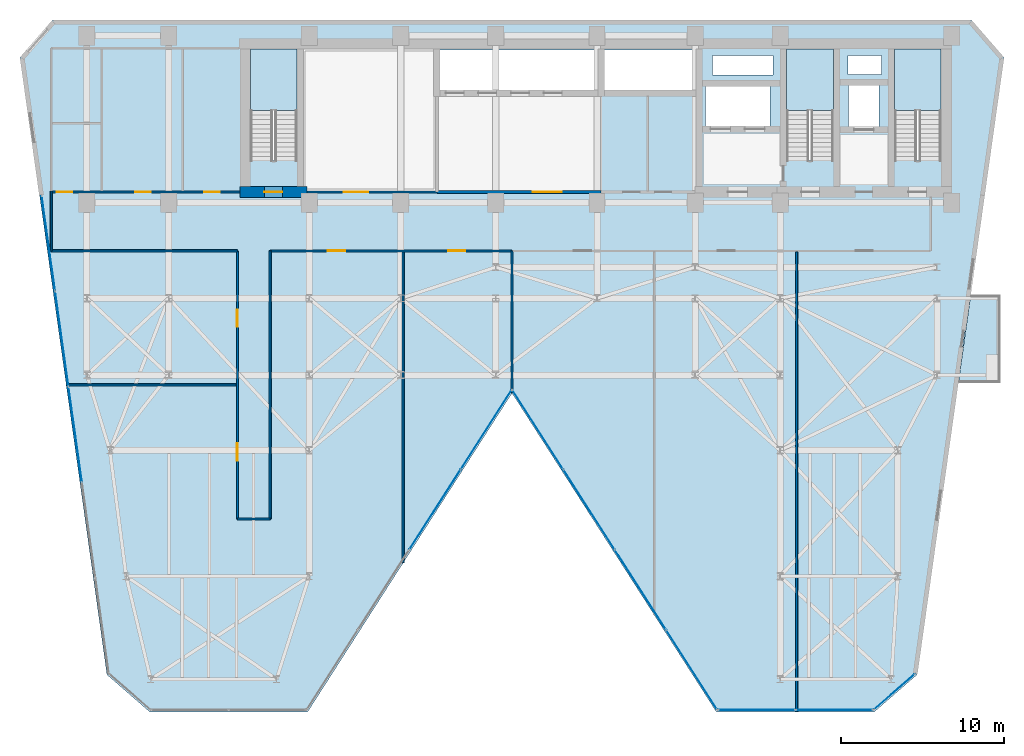
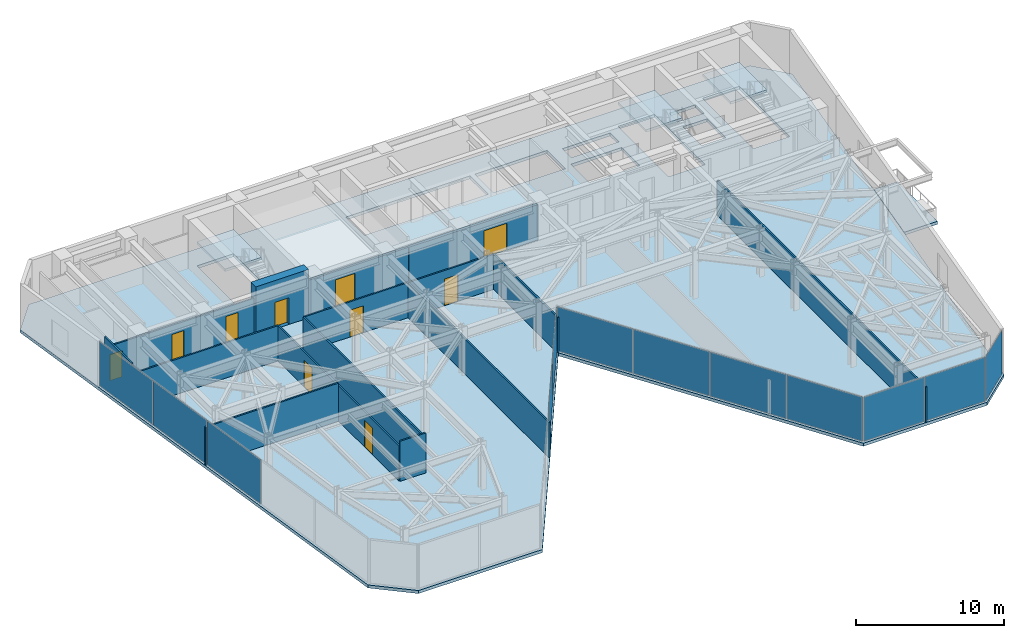
# One storey, part 21 of 26: 14 walls, 12 plates, 10 doors, 5 slabs, 10 openings, 8 elements without a shape of their own.
"""IFC4 building model written with IfcOpenShell, lengths in metres."""

from ifc_helpers import new_model, si_unit, direction, frame, frame_2d, origin, origin_2d, place, context, subcontext, project, spatial, polyline, rectangle, outline, extrude, material, layer, layer_set, type_object, element, fill, aggregate, save


model = new_model("IFC4")

# Units and contexts
model_context = context("Model", 3, precision=1e-05, world=origin(), true_north=direction((0.0, 1.0)))
body_context = subcontext(model_context, "Body", "Model", "MODEL_VIEW")
ifc_project = project(units=[si_unit("LENGTHUNIT", "METRE"), si_unit("AREAUNIT", "SQUARE_METRE"), si_unit("VOLUMEUNIT", "CUBIC_METRE"), si_unit("PLANEANGLEUNIT", "RADIAN"), si_unit("MASSUNIT", "GRAM", prefix="KILO")], contexts=[model_context])

# Site, building, storey
site_placement = place(None, origin())
site = spatial("IfcSite", under=ifc_project, at=site_placement, CompositionType="ELEMENT")
building_placement = place(site_placement, origin())
building = spatial("IfcBuilding", under=site, at=building_placement, Name="Kravanh Interchange Tower", CompositionType="ELEMENT")
storey_placement = place(building_placement, frame((0.0, 0.0, 112.0)))
storey = spatial("IfcBuildingStorey", under=building, at=storey_placement, Name="L26", CompositionType="ELEMENT", Elevation=112.0)

# Slab
ifc_material_1 = material(Name="Concrete C50/60", Category="concrete")
ifc_layer_1 = layer(ifc_material_1, 0.25)
ifc_layer_set_1 = layer_set([ifc_layer_1], Name="Composite Floor Slab Concrete C50/60 250mm")
slab_type_1 = type_object("IfcSlabType", Name="Composite Floor Slab Concrete C50/60 250mm", PredefinedType="FLOOR", material=ifc_layer_set_1)
slab_1_placement = place(storey_placement, frame((0.0, 0.0, -0.25)))
element("IfcSlab", 1, at=slab_1_placement, inside=storey, type_object=slab_type_1, Name="L26 Structural Floor Slab", PredefinedType="FLOOR", context=body_context, shape_type="SweptSolid", body=[
    extrude(outline(polyline([(14.82470703125, 8.4775390625), (17.44482421875, 6.199951171875), (27.10009765625, 6.199951171875), (39.60009765625, 25.699951171875), (52.10009765625, 6.199951171875), (61.755126953125, 6.199951171875), (64.375244140625, 8.4775390625), (69.679931640625, 46.222412109375), (67.699951171875, 48.5), (11.5, 48.5), (9.52001953125, 46.222412109375), (14.82470703125, 8.4775390625)]), holes=[polyline([(65.85009765625, 39.925048828125), (65.85009765625, 46.75), (63.0, 46.75), (63.0, 39.925048828125), (65.85009765625, 39.925048828125)]), polyline([(59.25, 39.925048828125), (59.25, 46.75), (56.39990234375, 46.75), (56.39990234375, 39.925048828125), (59.25, 39.925048828125)]), polyline([(26.449951171875, 39.925048828125), (26.449951171875, 46.75), (23.60009765625, 46.75), (23.60009765625, 39.925048828125), (26.449951171875, 39.925048828125)]), polyline([(35.179931640625, 44.219970703125), (44.840087890625, 44.219970703125), (44.840087890625, 46.699951171875), (35.179931640625, 46.699951171875), (35.179931640625, 44.219970703125)]), polyline([(45.239990234375, 44.219970703125), (50.840087890625, 44.219970703125), (50.840087890625, 46.699951171875), (45.239990234375, 46.699951171875), (45.239990234375, 44.219970703125)]), polyline([(51.419921875, 42.02001953125), (55.3798828125, 42.02001953125), (55.3798828125, 44.47998046875), (51.419921875, 44.47998046875), (51.419921875, 42.02001953125)]), polyline([(60.179931640625, 41.97998046875), (62.06005859375, 41.97998046875), (62.06005859375, 44.52001953125), (60.179931640625, 44.52001953125), (60.179931640625, 41.97998046875)]), polyline([(60.14990234375, 45.199951171875), (62.199951171875, 45.199951171875), (62.199951171875, 46.35009765625), (60.14990234375, 46.35009765625), (60.14990234375, 45.199951171875)]), polyline([(51.85009765625, 45.14990234375), (55.550048828125, 45.14990234375), (55.550048828125, 46.35009765625), (51.85009765625, 46.35009765625), (51.85009765625, 45.14990234375)])]), origin(), (0.0, 0.0, 1.0), 0.25),
])

# Stair, slab
ifc_material_2 = material(Name="Concrete C50/60", Category="concrete")
stair_type = type_object("IfcStairType", Name="Core Fire Exit Dogleg Stair Concrete C50/60", PredefinedType="HALF_TURN_STAIR", material=ifc_material_2)
stair_1_placement = place(storey_placement, origin())
stair_1 = element("IfcStair", 2, at=stair_1_placement, inside=storey, type_object=stair_type, Name="L26 Exit Stair ST1", PredefinedType="HALF_TURN_STAIR")
ifc_material_3 = material(Name="Concrete C50/60", Category="concrete")
ifc_layer_2 = layer(ifc_material_3, 0.199951171875)
ifc_layer_set_2 = layer_set([ifc_layer_2], Name="Concrete C50/60 Stair Half-Landing Slab 200mm")
slab_type_2 = type_object("IfcSlabType", Name="Concrete C50/60 Stair Half-Landing Slab 200mm", PredefinedType="LANDING", material=ifc_layer_set_2)
slab_2_placement = place(storey_placement, frame((0.0, 0.0, 1.800048828125)))
slab_2 = element("IfcSlab", 3, at=slab_2_placement, type_object=slab_type_2, Name="ST1 landing 1", PredefinedType="LANDING", context=body_context, shape_type="SweptSolid", body=[
    extrude(outline(polyline([(65.85009765625, 42.97998046875), (65.85009765625, 46.75), (63.0, 46.75), (63.0, 42.97998046875), (65.85009765625, 42.97998046875)])), origin(), (0.0, 0.0, 1.0), 0.199951171875),
])
aggregate(stair_1, [slab_2])

stair_2_placement = place(storey_placement, origin())
stair_2 = element("IfcStair", 4, at=stair_2_placement, inside=storey, type_object=stair_type, Name="L26 Exit Stair ST2", PredefinedType="HALF_TURN_STAIR")
slab_3_placement = place(storey_placement, frame((0.0, 0.0, 1.800048828125)))
slab_3 = element("IfcSlab", 5, at=slab_3_placement, type_object=slab_type_2, Name="ST2 landing 1", PredefinedType="LANDING", context=body_context, shape_type="SweptSolid", body=[
    extrude(outline(polyline([(59.25, 42.97998046875), (59.25, 46.75), (56.39990234375, 46.75), (56.39990234375, 42.97998046875), (59.25, 42.97998046875)])), origin(), (0.0, 0.0, 1.0), 0.199951171875),
])
aggregate(stair_2, [slab_3])

stair_3_placement = place(storey_placement, origin())
stair_3 = element("IfcStair", 6, at=stair_3_placement, inside=storey, type_object=stair_type, Name="L26 Exit Stair ST3", PredefinedType="HALF_TURN_STAIR")
slab_4_placement = place(storey_placement, frame((0.0, 0.0, 1.800048828125)))
slab_4 = element("IfcSlab", 7, at=slab_4_placement, type_object=slab_type_2, Name="ST3 landing 1", PredefinedType="LANDING", context=body_context, shape_type="SweptSolid", body=[
    extrude(outline(polyline([(26.449951171875, 42.97998046875), (26.449951171875, 46.75), (23.60009765625, 46.75), (23.60009765625, 42.97998046875), (26.449951171875, 42.97998046875)])), origin(), (0.0, 0.0, 1.0), 0.199951171875),
])
aggregate(stair_3, [slab_4])

# Slab
ifc_material_4 = material(Name="Concrete C50/60", Category="concrete")
ifc_layer_3 = layer(ifc_material_4, 0.199951171875)
ifc_layer_set_3 = layer_set([ifc_layer_3], Name="Planted Tree Balcony Slab Concrete C50/60 200mm")
slab_type_3 = type_object("IfcSlabType", Name="Planted Tree Balcony Slab Concrete C50/60 200mm", PredefinedType="USERDEFINED", material=ifc_layer_set_3)
slab_5_placement = place(storey_placement, frame((0.0, 0.0, -0.25)))
element("IfcSlab", 8, at=slab_5_placement, inside=storey, type_object=slab_type_3, Name="L26 East Tree Planter Balcony Slab", ObjectType="BALCONY", PredefinedType="USERDEFINED", context=body_context, shape_type="SweptSolid", body=[
    extrude(outline(polyline([(69.489990234375, 31.7099609375), (69.489990234375, 26.31005859375), (66.896484375, 26.31005859375), (67.655517578125, 31.7099609375), (69.489990234375, 31.7099609375)])), origin(), (0.0, 0.0, 1.0), 0.25),
])

# Curtain wall, plates
ifc_material_5 = material(Name="Anodised Bronze Aluminium", Category="aluminium")
ifc_layer_4 = layer(ifc_material_5, 0.179931640625)
ifc_layer_set_4 = layer_set([ifc_layer_4], Name="Unitised Curtain Wall System CW-Z2 Mid Office")
curtain_wall_type = type_object("IfcCurtainWallType", Name="Unitised Curtain Wall System CW-Z2 Mid Office", PredefinedType="NOTDEFINED", material=ifc_layer_set_4)
curtain_wall_1_placement = place(storey_placement, origin())
curtain_wall_1 = element("IfcCurtainWall", 9, at=curtain_wall_1_placement, inside=storey, type_object=curtain_wall_type, Name="L26 Unitised Curtain Wall CW-L26-01", PredefinedType="NOTDEFINED")
ifc_material_6 = material(Name="Low-E Laminated Architectural Glass", Category="glass")
ifc_layer_5 = layer(ifc_material_6, 0.02587890625)
ifc_layer_set_5 = layer_set([ifc_layer_5], Name="Solar-Control Double Glazing 26mm")
plate_type = type_object("IfcPlateType", Name="Solar-Control Double Glazing 26mm", PredefinedType="CURTAIN_PANEL", material=ifc_layer_set_5)
plate_1_placement = place(storey_placement, frame((12.881103515625, 23.16943359375, 0.06005859375), z_axis=(0.0, 0.0, 1.0), x_axis=(-0.13917285118, 0.990268103846, 0.0)))
plate_1 = element("IfcPlate", 10, at=plate_1_placement, type_object=plate_type, Name="CW-Z2 panel 3.1", PredefinedType="CURTAIN_PANEL", context=body_context, shape_type="SweptSolid", body=[
    extrude(rectangle(XDim=5.849853515625, YDim=0.02587890625, at=origin_2d()), origin(), (0.0, 0.0, 1.0), 3.6298828125),
])
plate_2_placement = place(storey_placement, frame((12.058837890625, 29.021728515625, 0.06005859375), z_axis=(0.0, 0.0, 1.0), x_axis=(-0.13917285118, 0.990268103846, 0.0)))
plate_2 = element("IfcPlate", 11, at=plate_2_placement, type_object=plate_type, Name="CW-Z2 panel 4.1", PredefinedType="CURTAIN_PANEL", context=body_context, shape_type="SweptSolid", body=[
    extrude(rectangle(XDim=5.849853515625, YDim=0.02587890625, at=origin_2d()), origin(), (0.0, 0.0, 1.0), 3.6298828125),
])
plate_3_placement = place(storey_placement, frame((11.23828125, 34.859130859375, 0.06005859375), z_axis=(0.0, 0.0, 1.0), x_axis=(-0.13917285118, 0.990268103846, 0.0)))
plate_3 = element("IfcPlate", 12, at=plate_3_placement, type_object=plate_type, Name="CW-Z2 panel 5.1", PredefinedType="CURTAIN_PANEL", context=body_context, shape_type="SweptSolid", body=[
    extrude(rectangle(XDim=5.81982421875, YDim=0.02587890625, at=origin_2d()), origin(), (0.0, 0.0, 1.0), 3.6298828125),
])
aggregate(curtain_wall_1, [plate_1, plate_2, plate_3])

# Curtain wall, plate
curtain_wall_2_placement = place(storey_placement, origin())
curtain_wall_2 = element("IfcCurtainWall", 13, at=curtain_wall_2_placement, inside=storey, type_object=curtain_wall_type, Name="L26 Unitised Curtain Wall CW-L26-02", PredefinedType="NOTDEFINED")
plate_4_placement = place(storey_placement, frame((62.986328125, 7.429443359375, 0.06005859375), z_axis=(0.0, 0.0, 1.0), x_axis=(-0.754719458103, -0.656047665617, 0.0)))
plate_4 = element("IfcPlate", 14, at=plate_4_placement, type_object=plate_type, Name="CW-Z2 panel 1.1", PredefinedType="CURTAIN_PANEL", context=body_context, shape_type="SweptSolid", body=[
    extrude(rectangle(XDim=3.261962890625, YDim=0.02587890625, at=origin_2d()), origin(), (0.0, 0.0, 1.0), 3.6298828125),
])
aggregate(curtain_wall_2, [plate_4])

# Curtain wall, plates
curtain_wall_3_placement = place(storey_placement, origin())
curtain_wall_3 = element("IfcCurtainWall", 15, at=curtain_wall_3_placement, inside=storey, type_object=curtain_wall_type, Name="L26 Unitised Curtain Wall CW-L26-03", PredefinedType="NOTDEFINED")
plate_5_placement = place(storey_placement, frame((59.30908203125, 6.320068359375, 0.06005859375), z_axis=(0.0, 0.0, 1.0), x_axis=(-1.0, 0.0, 0.0)))
plate_5 = element("IfcPlate", 16, at=plate_5_placement, type_object=plate_type, Name="CW-Z2 panel 1.1", PredefinedType="CURTAIN_PANEL", context=body_context, shape_type="SweptSolid", body=[
    extrude(rectangle(XDim=4.682373046875, YDim=0.02587890625, at=origin_2d()), origin(), (0.0, 0.0, 1.0), 3.6298828125),
])
plate_6_placement = place(storey_placement, frame((54.566650390625, 6.320068359375, 0.06005859375), z_axis=(0.0, 0.0, 1.0), x_axis=(-1.0, 0.0, 0.0)))
plate_6 = element("IfcPlate", 17, at=plate_6_placement, type_object=plate_type, Name="CW-Z2 panel 2.1", PredefinedType="CURTAIN_PANEL", context=body_context, shape_type="SweptSolid", body=[
    extrude(rectangle(XDim=4.682373046875, YDim=0.02587890625, at=origin_2d()), origin(), (0.0, 0.0, 1.0), 3.6298828125),
])
aggregate(curtain_wall_3, [plate_5, plate_6])

curtain_wall_4_placement = place(storey_placement, origin())
curtain_wall_4 = element("IfcCurtainWall", 18, at=curtain_wall_4_placement, inside=storey, type_object=curtain_wall_type, Name="L26 Unitised Curtain Wall CW-L26-04", PredefinedType="NOTDEFINED")
plate_7_placement = place(storey_placement, frame((50.5869140625, 8.782958984375, 0.06005859375), z_axis=(0.0, 0.0, 1.0), x_axis=(-0.539664865919, 0.841879939476, 0.0)))
plate_7 = element("IfcPlate", 19, at=plate_7_placement, type_object=plate_type, Name="CW-Z2 panel 1.1", PredefinedType="CURTAIN_PANEL", context=body_context, shape_type="SweptSolid", body=[
    extrude(rectangle(XDim=5.73095703125, YDim=0.02587890625, at=origin_2d()), origin(), (0.0, 0.0, 1.0), 3.6298828125),
])
plate_8_placement = place(storey_placement, frame((47.45361328125, 13.6708984375, 0.06005859375), z_axis=(0.0, 0.0, 1.0), x_axis=(-0.539664865919, 0.841879939476, 0.0)))
plate_8 = element("IfcPlate", 20, at=plate_8_placement, type_object=plate_type, Name="CW-Z2 panel 2.1", PredefinedType="CURTAIN_PANEL", context=body_context, shape_type="SweptSolid", body=[
    extrude(rectangle(XDim=5.760986328125, YDim=0.02587890625, at=origin_2d()), origin(), (0.0, 0.0, 1.0), 3.6298828125),
])
plate_9_placement = place(storey_placement, frame((44.31201171875, 18.571533203125, 0.06005859375), z_axis=(0.0, 0.0, 1.0), x_axis=(-0.539664865919, 0.841879939476, 0.0)))
plate_9 = element("IfcPlate", 21, at=plate_9_placement, type_object=plate_type, Name="CW-Z2 panel 3.1", PredefinedType="CURTAIN_PANEL", context=body_context, shape_type="SweptSolid", body=[
    extrude(rectangle(XDim=5.760986328125, YDim=0.02587890625, at=origin_2d()), origin(), (0.0, 0.0, 1.0), 3.6298828125),
])
plate_10_placement = place(storey_placement, frame((41.1787109375, 23.45947265625, 0.06005859375), z_axis=(0.0, 0.0, 1.0), x_axis=(-0.539664865919, 0.841879939476, 0.0)))
plate_10 = element("IfcPlate", 22, at=plate_10_placement, type_object=plate_type, Name="CW-Z2 panel 4.1", PredefinedType="CURTAIN_PANEL", context=body_context, shape_type="SweptSolid", body=[
    extrude(rectangle(XDim=5.73095703125, YDim=0.02587890625, at=origin_2d()), origin(), (0.0, 0.0, 1.0), 3.6298828125),
])
aggregate(curtain_wall_4, [plate_7, plate_8, plate_9, plate_10])

curtain_wall_5_placement = place(storey_placement, origin())
curtain_wall_5 = element("IfcCurtainWall", 23, at=curtain_wall_5_placement, inside=storey, type_object=curtain_wall_type, Name="L26 Unitised Curtain Wall CW-L26-05", PredefinedType="NOTDEFINED")
plate_11_placement = place(storey_placement, frame((38.021240234375, 23.45947265625, 0.06005859375), z_axis=(0.0, 0.0, 1.0), x_axis=(-0.539664865919, -0.841879939476, 0.0)))
plate_11 = element("IfcPlate", 24, at=plate_11_placement, type_object=plate_type, Name="CW-Z2 panel 1.1", PredefinedType="CURTAIN_PANEL", context=body_context, shape_type="SweptSolid", body=[
    extrude(rectangle(XDim=5.73095703125, YDim=0.02587890625, at=origin_2d()), origin(), (0.0, 0.0, 1.0), 3.6298828125),
])
plate_12_placement = place(storey_placement, frame((34.887939453125, 18.571533203125, 0.06005859375), z_axis=(0.0, 0.0, 1.0), x_axis=(-0.539664865919, -0.841879939476, 0.0)))
plate_12 = element("IfcPlate", 25, at=plate_12_placement, type_object=plate_type, Name="CW-Z2 panel 2.1", PredefinedType="CURTAIN_PANEL", context=body_context, shape_type="SweptSolid", body=[
    extrude(rectangle(XDim=5.760986328125, YDim=0.02587890625, at=origin_2d()), origin(), (0.0, 0.0, 1.0), 3.6298828125),
])
aggregate(curtain_wall_5, [plate_11, plate_12])

# Wall, openings, doors
ifc_material_7 = material(Name="Double Acoustic Gypsum Board and Mineral Wool")
ifc_layer_6 = layer(ifc_material_7, 0.1201171875)
ifc_layer_set_6 = layer_set([ifc_layer_6], Name="Acoustic Office Drywall Partition 120mm")
wall_type_1 = type_object("IfcWallType", Name="Acoustic Office Drywall Partition 120mm", PredefinedType="PARTITIONING", material=ifc_layer_set_6)
wall_1_placement = place(storey_placement, frame((11.419921875, 38.0, 0.0), z_axis=(0.0, 0.0, 1.0), x_axis=(1.0, 0.0, 0.0)))
wall_1 = element("IfcWall", 26, at=wall_1_placement, inside=storey, type_object=wall_type_1, Name="L26 Restroom Corridor Wall 6", PredefinedType="PARTITIONING", context=body_context, shape_type="SweptSolid", body=[
    extrude(rectangle(XDim=11.530029296875, YDim=0.1201171875, at=frame_2d((5.76513671875, 0.0))), origin(), (0.0, 0.0, 1.0), 2.89404296875),
])
opening_1_placement = place(wall_1_placement, frame((0.3427734375, 0.0, 0.0)))
opening_1 = element("IfcOpeningElement", 27, at=opening_1_placement, cuts=wall_1, Name="Opening D-95", PredefinedType="OPENING", context=body_context, shape_type="SweptSolid", body=[
    extrude(rectangle(XDim=0.949951171875, YDim=2.14990234375, at=frame_2d((0.47509765625, 1.074951171875))), frame((0.0, 0.070068359375, 0.0), z_axis=(0.0, -1.0, 0.0), x_axis=(1.0, 0.0, 0.0)), (0.0, 0.0, 1.0), 0.14013671875),
])
opening_2_placement = place(wall_1_placement, frame((5.130126953125, 0.0, 0.0)))
opening_2 = element("IfcOpeningElement", 28, at=opening_2_placement, cuts=wall_1, Name="Opening D-95", PredefinedType="OPENING", context=body_context, shape_type="SweptSolid", body=[
    extrude(rectangle(XDim=0.949951171875, YDim=2.14990234375, at=frame_2d((0.47509765625, 1.074951171875))), frame((0.0, 0.070068359375, 0.0), z_axis=(0.0, -1.0, 0.0), x_axis=(1.0, 0.0, 0.0)), (0.0, 0.0, 1.0), 0.14013671875),
])
opening_3_placement = place(wall_1_placement, frame((9.344970703125, 0.0, 0.0)))
opening_3 = element("IfcOpeningElement", 29, at=opening_3_placement, cuts=wall_1, Name="Opening D-95", PredefinedType="OPENING", context=body_context, shape_type="SweptSolid", body=[
    extrude(rectangle(XDim=0.949951171875, YDim=2.14990234375, at=frame_2d((0.47509765625, 1.074951171875))), frame((0.0, 0.070068359375, 0.0), z_axis=(0.0, -1.0, 0.0), x_axis=(1.0, 0.0, 0.0)), (0.0, 0.0, 1.0), 0.14013671875),
])
ifc_material_8 = material(Name="Laminate Solid-Core Timber", Category="wood")
door_type_1 = type_object("IfcDoorType", Name="Accessible Restroom Door 950x2150", OperationType="NOTDEFINED", PredefinedType="DOOR", material=ifc_material_8)
door_1_placement = place(opening_1_placement, origin())
door_1 = element("IfcDoor", 30, at=door_1_placement, inside=storey, type_object=door_type_1, Name="L26 Accessible WC Door", OperationType="SINGLE_SWING_RIGHT", OverallHeight=2.14990234375, OverallWidth=0.949951171875, PredefinedType="DOOR", context=body_context, shape_type="SweptSolid", body=[
    extrude(rectangle(XDim=0.949951171875, YDim=2.14990234375, at=frame_2d((0.47509765625, 1.074951171875))), frame((0.0, 0.02490234375, 0.0), z_axis=(0.0, -1.0, 0.0), x_axis=(1.0, 0.0, 0.0)), (0.0, 0.0, 1.0), 0.050048828125),
])
fill(opening_1, door_1)
door_2_placement = place(opening_2_placement, origin())
door_2 = element("IfcDoor", 31, at=door_2_placement, inside=storey, type_object=door_type_1, Name="L26 Female WC Door", OperationType="SINGLE_SWING_LEFT", OverallHeight=2.14990234375, OverallWidth=0.949951171875, PredefinedType="DOOR", context=body_context, shape_type="SweptSolid", body=[
    extrude(rectangle(XDim=0.949951171875, YDim=2.14990234375, at=frame_2d((0.47509765625, 1.074951171875))), frame((0.0, 0.02490234375, 0.0), z_axis=(0.0, -1.0, 0.0), x_axis=(1.0, 0.0, 0.0)), (0.0, 0.0, 1.0), 0.050048828125),
])
fill(opening_2, door_2)
door_3_placement = place(opening_3_placement, origin())
door_3 = element("IfcDoor", 32, at=door_3_placement, inside=storey, type_object=door_type_1, Name="L26 Male WC Door", OperationType="SINGLE_SWING_RIGHT", OverallHeight=2.14990234375, OverallWidth=0.949951171875, PredefinedType="DOOR", context=body_context, shape_type="SweptSolid", body=[
    extrude(rectangle(XDim=0.949951171875, YDim=2.14990234375, at=frame_2d((0.47509765625, 1.074951171875))), frame((0.0, 0.02490234375, 0.0), z_axis=(0.0, -1.0, 0.0), x_axis=(1.0, 0.0, 0.0)), (0.0, 0.0, 1.0), 0.050048828125),
])
fill(opening_3, door_3)

# Wall
wall_2_placement = place(storey_placement, frame((11.419921875, 34.39990234375, 0.0), z_axis=(0.0, 0.0, 1.0), x_axis=(1.0, 0.0, 0.0)))
element("IfcWall", 33, at=wall_2_placement, inside=storey, type_object=wall_type_1, Name="L26 Interior Partition 12", PredefinedType="PARTITIONING", context=body_context, shape_type="SweptSolid", body=[
    extrude(rectangle(XDim=11.380126953125, YDim=0.1201171875, at=frame_2d((5.68994140625, 0.0))), origin(), (0.0, 0.0, 1.0), 2.89404296875),
])

# Wall, openings, doors
wall_3_placement = place(storey_placement, frame((24.800048828125, 34.39990234375, 0.0), z_axis=(0.0, 0.0, 1.0), x_axis=(1.0, 0.0, 0.0)))
wall_3 = element("IfcWall", 34, at=wall_3_placement, inside=storey, type_object=wall_type_1, Name="L26 Interior Partition 13", PredefinedType="PARTITIONING", context=body_context, shape_type="SweptSolid", body=[
    extrude(rectangle(XDim=14.800048828125, YDim=0.1201171875, at=frame_2d((7.39990234375, 0.0))), origin(), (0.0, 0.0, 1.0), 2.89404296875),
])
opening_4_placement = place(wall_3_placement, frame((3.544921875, 0.0, 0.0)))
opening_4 = element("IfcOpeningElement", 35, at=opening_4_placement, cuts=wall_3, Name="Opening D-105", PredefinedType="OPENING", context=body_context, shape_type="SweptSolid", body=[
    extrude(rectangle(XDim=1.050048828125, YDim=2.199951171875, at=frame_2d((0.52490234375, 1.10009765625))), frame((0.0, 0.070068359375, 0.0), z_axis=(0.0, -1.0, 0.0), x_axis=(1.0, 0.0, 0.0)), (0.0, 0.0, 1.0), 0.14013671875),
])
opening_5_placement = place(wall_3_placement, frame((10.904296875, 0.0, 0.0)))
opening_5 = element("IfcOpeningElement", 36, at=opening_5_placement, cuts=wall_3, Name="Opening D-105", PredefinedType="OPENING", context=body_context, shape_type="SweptSolid", body=[
    extrude(rectangle(XDim=1.050048828125, YDim=2.199951171875, at=frame_2d((0.52490234375, 1.10009765625))), frame((0.0, 0.070068359375, 0.0), z_axis=(0.0, -1.0, 0.0), x_axis=(1.0, 0.0, 0.0)), (0.0, 0.0, 1.0), 0.14013671875),
])
ifc_material_9 = material(Name="Acoustic Glazed Oak and Aluminium", Category="aluminium")
door_type_2 = type_object("IfcDoorType", Name="Office Workplace Door 1050x2200", OperationType="NOTDEFINED", PredefinedType="DOOR", material=ifc_material_9)
door_4_placement = place(opening_4_placement, origin())
door_4 = element("IfcDoor", 37, at=door_4_placement, inside=storey, type_object=door_type_2, Name="L26 Collaboration Club Lounge Door", OperationType="SINGLE_SWING_LEFT", OverallHeight=2.199951171875, OverallWidth=1.050048828125, PredefinedType="DOOR", context=body_context, shape_type="SweptSolid", body=[
    extrude(rectangle(XDim=1.050048828125, YDim=2.199951171875, at=frame_2d((0.52490234375, 1.10009765625))), frame((0.0, 0.02490234375, 0.0), z_axis=(0.0, -1.0, 0.0), x_axis=(1.0, 0.0, 0.0)), (0.0, 0.0, 1.0), 0.050048828125),
])
fill(opening_4, door_4)
door_5_placement = place(opening_5_placement, origin())
door_5 = element("IfcDoor", 38, at=door_5_placement, inside=storey, type_object=door_type_2, Name="L26 Atrium Overlook Lounge Door", OperationType="SINGLE_SWING_RIGHT", OverallHeight=2.199951171875, OverallWidth=1.050048828125, PredefinedType="DOOR", context=body_context, shape_type="SweptSolid", body=[
    extrude(rectangle(XDim=1.050048828125, YDim=2.199951171875, at=frame_2d((0.52490234375, 1.10009765625))), frame((0.0, 0.02490234375, 0.0), z_axis=(0.0, -1.0, 0.0), x_axis=(1.0, 0.0, 0.0)), (0.0, 0.0, 1.0), 0.050048828125),
])
fill(opening_5, door_5)

# Wall
wall_4_placement = place(storey_placement, frame((11.419921875, 34.39990234375, 0.0), z_axis=(0.0, 0.0, 1.0), x_axis=(0.0, 1.0, 0.0)))
element("IfcWall", 39, at=wall_4_placement, inside=storey, type_object=wall_type_1, Name="L26 Interior Partition 15", PredefinedType="PARTITIONING", context=body_context, shape_type="SweptSolid", body=[
    extrude(rectangle(XDim=3.650146484375, YDim=0.1201171875, at=frame_2d((1.8251953125, 0.0))), origin(), (0.0, 0.0, 1.0), 3.75),
])

# Wall, openings, doors
wall_5_placement = place(storey_placement, frame((22.800048828125, 18.0, 0.0), z_axis=(0.0, 0.0, 1.0), x_axis=(0.0, 1.0, 0.0)))
wall_5 = element("IfcWall", 40, at=wall_5_placement, inside=storey, type_object=wall_type_1, Name="L26 Interior Partition 17", PredefinedType="PARTITIONING", context=body_context, shape_type="SweptSolid", body=[
    extrude(rectangle(XDim=16.39990234375, YDim=0.1201171875, at=frame_2d((8.199951171875, 0.0))), origin(), (0.0, 0.0, 1.0), 2.89404296875),
])
opening_6_placement = place(wall_5_placement, frame((3.574951171875, 0.0, 0.0)))
opening_6 = element("IfcOpeningElement", 41, at=opening_6_placement, cuts=wall_5, Name="Opening D-105", PredefinedType="OPENING", context=body_context, shape_type="SweptSolid", body=[
    extrude(rectangle(XDim=1.050048828125, YDim=2.199951171875, at=frame_2d((0.52490234375, 1.10009765625))), frame((0.0, 0.070068359375, 0.0), z_axis=(0.0, -1.0, 0.0), x_axis=(1.0, 0.0, 0.0)), (0.0, 0.0, 1.0), 0.14013671875),
])
opening_7_placement = place(wall_5_placement, frame((11.75, 0.0, 0.0)))
opening_7 = element("IfcOpeningElement", 42, at=opening_7_placement, cuts=wall_5, Name="Opening D-105", PredefinedType="OPENING", context=body_context, shape_type="SweptSolid", body=[
    extrude(rectangle(XDim=1.050048828125, YDim=2.199951171875, at=frame_2d((0.52490234375, 1.10009765625))), frame((0.0, 0.070068359375, 0.0), z_axis=(0.0, -1.0, 0.0), x_axis=(1.0, 0.0, 0.0)), (0.0, 0.0, 1.0), 0.14013671875),
])
door_6_placement = place(opening_6_placement, origin())
door_6 = element("IfcDoor", 43, at=door_6_placement, inside=storey, type_object=door_type_2, Name="L26 SW Reading Lounge Door", OperationType="SINGLE_SWING_LEFT", OverallHeight=2.199951171875, OverallWidth=1.050048828125, PredefinedType="DOOR", context=body_context, shape_type="SweptSolid", body=[
    extrude(rectangle(XDim=1.050048828125, YDim=2.199951171875, at=frame_2d((0.52490234375, 1.10009765625))), frame((0.0, 0.02490234375, 0.0), z_axis=(0.0, -1.0, 0.0), x_axis=(1.0, 0.0, 0.0)), (0.0, 0.0, 1.0), 0.050048828125),
])
fill(opening_6, door_6)
door_7_placement = place(opening_7_placement, origin())
door_7 = element("IfcDoor", 44, at=door_7_placement, inside=storey, type_object=door_type_2, Name="L26 Espresso Kitchenette Door", OperationType="SINGLE_SWING_RIGHT", OverallHeight=2.199951171875, OverallWidth=1.050048828125, PredefinedType="DOOR", context=body_context, shape_type="SweptSolid", body=[
    extrude(rectangle(XDim=1.050048828125, YDim=2.199951171875, at=frame_2d((0.52490234375, 1.10009765625))), frame((0.0, 0.02490234375, 0.0), z_axis=(0.0, -1.0, 0.0), x_axis=(1.0, 0.0, 0.0)), (0.0, 0.0, 1.0), 0.050048828125),
])
fill(opening_7, door_7)

# Walls
wall_6_placement = place(storey_placement, frame((24.800048828125, 18.0, 0.0), z_axis=(0.0, 0.0, 1.0), x_axis=(0.0, 1.0, 0.0)))
element("IfcWall", 45, at=wall_6_placement, inside=storey, type_object=wall_type_1, Name="L26 Interior Partition 18", PredefinedType="PARTITIONING", context=body_context, shape_type="SweptSolid", body=[
    extrude(rectangle(XDim=16.39990234375, YDim=0.1201171875, at=frame_2d((8.199951171875, 0.0))), origin(), (0.0, 0.0, 1.0), 2.89404296875),
])
wall_7_placement = place(storey_placement, frame((22.800048828125, 18.0, 0.0), z_axis=(0.0, 0.0, 1.0), x_axis=(1.0, 0.0, 0.0)))
element("IfcWall", 46, at=wall_7_placement, inside=storey, type_object=wall_type_1, Name="L26 Interior Partition 19", PredefinedType="PARTITIONING", context=body_context, shape_type="SweptSolid", body=[
    extrude(rectangle(XDim=2.0, YDim=0.1201171875, at=frame_2d((1.0, 0.0))), origin(), (0.0, 0.0, 1.0), 3.29296875),
])
wall_8_placement = place(storey_placement, frame((12.34912109375, 26.199951171875, 0.0), z_axis=(0.0, 0.0, 1.0), x_axis=(1.0, 0.0, 0.0)))
element("IfcWall", 47, at=wall_8_placement, inside=storey, type_object=wall_type_1, Name="L26 Interior Partition 20", PredefinedType="PARTITIONING", context=body_context, shape_type="SweptSolid", body=[
    extrude(rectangle(XDim=10.3828125, YDim=0.1201171875, at=frame_2d((5.19140625, 0.0))), origin(), (0.0, 0.0, 1.0), 3.14208984375),
])
wall_9_placement = place(storey_placement, frame((39.60009765625, 25.727783203125, 0.0), z_axis=(0.0, 0.0, 1.0), x_axis=(0.0, 1.0, 0.0)))
element("IfcWall", 48, at=wall_9_placement, inside=storey, type_object=wall_type_1, Name="L26 Interior Partition 21", PredefinedType="PARTITIONING", context=body_context, shape_type="SweptSolid", body=[
    extrude(rectangle(XDim=8.672119140625, YDim=0.1201171875, at=frame_2d((4.3359375, 0.0))), origin(), (0.0, 0.0, 1.0), 2.89404296875),
])
wall_10_placement = place(storey_placement, frame((32.93994140625, 15.338134765625, 0.0), z_axis=(0.0, 0.0, 1.0), x_axis=(0.0, 1.0, 0.0)))
element("IfcWall", 49, at=wall_10_placement, inside=storey, type_object=wall_type_1, Name="L26 Interior Partition 22", PredefinedType="PARTITIONING", context=body_context, shape_type="SweptSolid", body=[
    extrude(rectangle(XDim=18.993896484375, YDim=0.1201171875, at=frame_2d((9.4970703125, 0.0))), origin(), (0.0, 0.0, 1.0), 2.89404296875),
])
wall_11_placement = place(storey_placement, frame((57.010009765625, 6.215087890625, 0.0), z_axis=(0.0, 0.0, 1.0), x_axis=(0.0, 1.0, 0.0)))
element("IfcWall", 50, at=wall_11_placement, inside=storey, type_object=wall_type_1, Name="L26 Interior Partition 24", PredefinedType="PARTITIONING", context=body_context, shape_type="SweptSolid", body=[
    extrude(rectangle(XDim=28.116943359375, YDim=0.1201171875, at=frame_2d((14.05859375, 0.0))), origin(), (0.0, 0.0, 1.0), 2.89404296875),
])

# Wall, opening, door
ifc_material_10 = material(Name="Concrete C70/85", Category="concrete")
ifc_layer_7 = layer(ifc_material_10, 0.64990234375)
ifc_layer_set_7 = layer_set([ifc_layer_7], Name="Core Shear Wall Concrete C70/85 650mm")
wall_type_2 = type_object("IfcWallType", Name="Core Shear Wall Concrete C70/85 650mm", PredefinedType="SHEAR", material=ifc_layer_set_7)
wall_12_placement = place(storey_placement, frame((22.949951171875, 38.0, 0.0), z_axis=(0.0, 0.0, 1.0), x_axis=(1.0, 0.0, 0.0)))
wall_12 = element("IfcWall", 51, at=wall_12_placement, inside=storey, type_object=wall_type_2, Name="L26 Stair ST3 South Shear Wall", PredefinedType="SHEAR", context=body_context, shape_type="SweptSolid", body=[
    extrude(rectangle(XDim=4.10009765625, YDim=0.64990234375, at=frame_2d((2.050048828125, 0.0))), origin(), (0.0, 0.0, 1.0), 4.0),
])
opening_8_placement = place(wall_12_placement, frame((1.5, 0.0, 0.0)))
opening_8 = element("IfcOpeningElement", 52, at=opening_8_placement, cuts=wall_12, Name="Opening D-STAIR-110", PredefinedType="OPENING", context=body_context, shape_type="SweptSolid", body=[
    extrude(rectangle(XDim=1.10009765625, YDim=2.199951171875, at=frame_2d((0.550048828125, 1.10009765625))), frame((0.0, 0.3349609375, 0.0), z_axis=(0.0, -1.0, 0.0), x_axis=(1.0, 0.0, 0.0)), (0.0, 0.0, 1.0), 0.669921875),
])
ifc_material_11 = material(Name="Structural Steel S355", Category="steel")
door_type_3 = type_object("IfcDoorType", Name="Fire-Rated Exit Stair Door 1100x2200", OperationType="NOTDEFINED", PredefinedType="DOOR", material=ifc_material_11)
door_8_placement = place(opening_8_placement, origin())
door_8 = element("IfcDoor", 53, at=door_8_placement, inside=storey, type_object=door_type_3, Name="L26 Exit Stair ST3 Door", OperationType="SINGLE_SWING_RIGHT", OverallHeight=2.199951171875, OverallWidth=1.10009765625, PredefinedType="DOOR", context=body_context, shape_type="SweptSolid", body=[
    extrude(rectangle(XDim=1.10009765625, YDim=2.199951171875, at=frame_2d((0.550048828125, 1.10009765625))), frame((0.0, 0.02490234375, 0.0), z_axis=(0.0, -1.0, 0.0), x_axis=(1.0, 0.0, 0.0)), (0.0, 0.0, 1.0), 0.050048828125),
])
fill(opening_8, door_8)

ifc_material_12 = material(Name="Autoclaved Aerated Concrete C30/37 Blockwork", Category="masonry")
ifc_layer_8 = layer(ifc_material_12, 0.179931640625)
ifc_layer_set_8 = layer_set([ifc_layer_8], Name="Fire-Rated Lobby and Corridor Wall Concrete C30/37 180mm")
wall_type_3 = type_object("IfcWallType", Name="Fire-Rated Lobby and Corridor Wall Concrete C30/37 180mm", PredefinedType="STANDARD", material=ifc_layer_set_8)
wall_13_placement = place(storey_placement, frame((35.0, 38.0, 0.0), z_axis=(0.0, 0.0, 1.0), x_axis=(1.0, 0.0, 0.0)))
wall_13 = element("IfcWall", 54, at=wall_13_placement, inside=storey, type_object=wall_type_3, Name="L26 Interior Partition 5", PredefinedType="STANDARD", context=body_context, shape_type="SweptSolid", body=[
    extrude(rectangle(XDim=10.050048828125, YDim=0.179931640625, at=frame_2d((5.02490234375, 0.0))), origin(), (0.0, 0.0, 1.0), 2.89404296875),
])
opening_9_placement = place(wall_13_placement, frame((5.85791015625, 0.0, 0.0)))
opening_9 = element("IfcOpeningElement", 55, at=opening_9_placement, cuts=wall_13, Name="Opening DBL-180", PredefinedType="OPENING", context=body_context, shape_type="SweptSolid", body=[
    extrude(rectangle(XDim=1.800048828125, YDim=2.199951171875, at=frame_2d((0.89990234375, 1.10009765625))), frame((0.0, 0.10009765625, 0.0), z_axis=(0.0, -1.0, 0.0), x_axis=(1.0, 0.0, 0.0)), (0.0, 0.0, 1.0), 0.199951171875),
])
ifc_material_13 = material(Name="Structural Steel S355", Category="steel")
door_type_4 = type_object("IfcDoorType", Name="Lift Lobby Double Fire Door 1800x2200", OperationType="DOUBLE_DOOR_SINGLE_SWING", PredefinedType="DOOR", material=ifc_material_13)
door_9_placement = place(opening_9_placement, origin())
door_9 = element("IfcDoor", 56, at=door_9_placement, inside=storey, type_object=door_type_4, Name="L26 Mid-Rise Lift Lobby Door", OperationType="DOUBLE_DOOR_SINGLE_SWING", OverallHeight=2.199951171875, OverallWidth=1.800048828125, PredefinedType="DOOR", context=body_context, shape_type="SweptSolid", body=[
    extrude(rectangle(XDim=1.800048828125, YDim=2.199951171875, at=frame_2d((0.89990234375, 1.10009765625))), frame((0.0, 0.02490234375, 0.0), z_axis=(0.0, -1.0, 0.0), x_axis=(1.0, 0.0, 0.0)), (0.0, 0.0, 1.0), 0.050048828125),
])
fill(opening_9, door_9)

ifc_material_14 = material(Name="Twin Stud Acoustic Gypsum Board Wall")
ifc_layer_9 = layer(ifc_material_14, 0.14990234375)
ifc_layer_set_9 = layer_set([ifc_layer_9], Name="Medium-Duty Acoustic Partition 150mm")
wall_type_4 = type_object("IfcWallType", Name="Medium-Duty Acoustic Partition 150mm", PredefinedType="PARTITIONING", material=ifc_layer_set_9)
wall_14_placement = place(storey_placement, frame((27.050048828125, 38.0, 0.0), z_axis=(0.0, 0.0, 1.0), x_axis=(1.0, 0.0, 0.0)))
wall_14 = element("IfcWall", 57, at=wall_14_placement, inside=storey, type_object=wall_type_4, Name="L26 Interior Partition 3", PredefinedType="PARTITIONING", context=body_context, shape_type="SweptSolid", body=[
    extrude(rectangle(XDim=7.949951171875, YDim=0.14990234375, at=frame_2d((3.97509765625, 0.0))), origin(), (0.0, 0.0, 1.0), 2.89404296875),
])
opening_10_placement = place(wall_14_placement, frame((2.25, 0.0, 0.0)))
opening_10 = element("IfcOpeningElement", 58, at=opening_10_placement, cuts=wall_14, Name="Opening DBL-150", PredefinedType="OPENING", context=body_context, shape_type="SweptSolid", body=[
    extrude(rectangle(XDim=1.5, YDim=2.199951171875, at=frame_2d((0.75, 1.10009765625))), frame((0.0, 0.0849609375, 0.0), z_axis=(0.0, -1.0, 0.0), x_axis=(1.0, 0.0, 0.0)), (0.0, 0.0, 1.0), 0.169921875),
])
ifc_material_15 = material(Name="Acoustic Timber and Toughened Glass", Category="wood")
door_type_5 = type_object("IfcDoorType", Name="Conference Hall Double Door 1500x2200", OperationType="DOUBLE_DOOR_SINGLE_SWING", PredefinedType="DOOR", material=ifc_material_15)
door_10_placement = place(opening_10_placement, origin())
door_10 = element("IfcDoor", 59, at=door_10_placement, inside=storey, type_object=door_type_5, Name="L26 Core Wellness Studio Door", OperationType="DOUBLE_DOOR_SINGLE_SWING", OverallHeight=2.199951171875, OverallWidth=1.5, PredefinedType="DOOR", context=body_context, shape_type="SweptSolid", body=[
    extrude(rectangle(XDim=1.5, YDim=2.199951171875, at=frame_2d((0.75, 1.10009765625))), frame((0.0, 0.02490234375, 0.0), z_axis=(0.0, -1.0, 0.0), x_axis=(1.0, 0.0, 0.0)), (0.0, 0.0, 1.0), 0.050048828125),
])
fill(opening_10, door_10)

save(model, "model.ifc")
